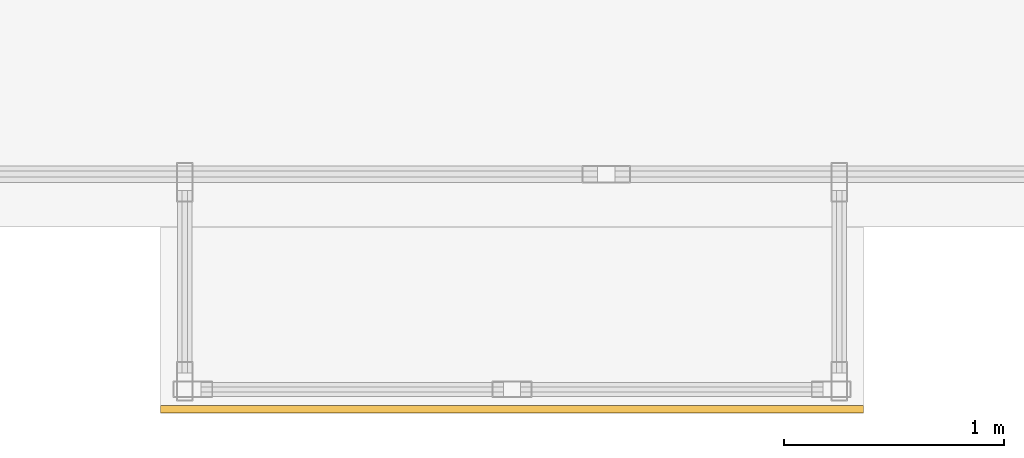
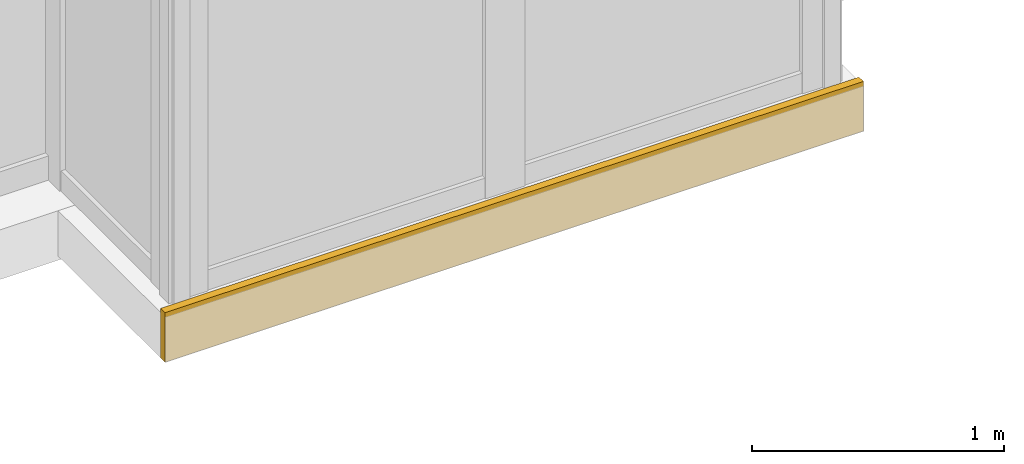
# One storey, part 22 of 23: 1 covering.
"""IFC4 building model written with IfcOpenShell, lengths in metres."""

import ifcopenshell
import ifcopenshell.guid

model = None  # the IFC model being written
_history = None  # IfcOwnerHistory: only IFC2X3 demands one
_inside = {}  # id of a spatial element -> (the spatial element, [elements in it])
_under = {}  # id of a project, library or spatial element -> (it, [spatial elements below it])
_declared = {}  # id of a project -> (the project, [libraries it declares])
_typed = {}  # id of a type object -> (the type object, [elements of that type])
_made_of = {}  # id of a material, layer set ... -> (it, [elements and type objects made of it])


def new_model(schema):
    """Start an empty IFC model of exactly this schema.

    Asked for "IFC4X3", IfcOpenShell would pick the latest addendum, in which some entities
    have other attributes; the version numbers below select the first issue.
    IFC2X3 requires an IfcOwnerHistory on every rooted entity: one is made here for all.
    """
    global model, _history
    if schema == "IFC4X3":
        model = ifcopenshell.file(schema_version=(4, 3, 0, 0))
    else:
        model = ifcopenshell.file(schema=schema)
    _inside.clear()
    _under.clear()
    _declared.clear()
    _typed.clear()
    _made_of.clear()
    _history = None
    if model.schema == "IFC2X3":
        org = make("IfcOrganization", Name="unknown")
        user = make(
            "IfcPersonAndOrganization",
            ThePerson=make("IfcPerson", FamilyName="unknown"),
            TheOrganization=org,
        )
        app = make(
            "IfcApplication",
            ApplicationDeveloper=org,
            Version="unknown",
            ApplicationFullName="unknown",
            ApplicationIdentifier="unknown",
        )
        _history = make(
            "IfcOwnerHistory",
            OwningUser=user,
            OwningApplication=app,
            ChangeAction="ADDED",
            CreationDate=0,
        )
    return model


def make(cls, **values):
    """One entity of the class cls with the attributes given. An attribute that is None is left unset."""
    return model.create_entity(
        cls, **{name: value for name, value in values.items() if value is not None}
    )


def rooted(cls, **values):
    """An entity with a GlobalId (a new one), such as an element, a storey or a relation."""
    return make(cls, GlobalId=ifcopenshell.guid.new(), OwnerHistory=_history, **values)


def si_unit(unit_type, name, prefix=None):
    """IfcSIUnit, for example si_unit("LENGTHUNIT", "METRE", prefix="MILLI")."""
    return make("IfcSIUnit", UnitType=unit_type, Prefix=prefix, Name=name)


def assignment(units):
    """IfcUnitAssignment: the units of a project."""
    return None if units is None else make("IfcUnitAssignment", Units=units)


def point(xyz):
    """IfcCartesianPoint."""
    return None if xyz is None else make("IfcCartesianPoint", Coordinates=xyz)


def direction(xyz):
    """IfcDirection."""
    return None if xyz is None else make("IfcDirection", DirectionRatios=xyz)


def frame(location, z_axis=None, x_axis=None):
    """IfcAxis2Placement3D, a coordinate frame: its origin and axes. An axis left out is left unset."""
    return make(
        "IfcAxis2Placement3D",
        Location=point(location),
        Axis=direction(z_axis),
        RefDirection=direction(x_axis),
    )


def frame_2d(location, x_axis=None):
    """IfcAxis2Placement2D, a coordinate frame in the plane: its origin and x axis."""
    return make(
        "IfcAxis2Placement2D", Location=point(location), RefDirection=direction(x_axis)
    )


def origin():
    """The frame at (0, 0, 0) with its axes left unset."""
    return frame((0.0, 0.0, 0.0))


def origin_2d():
    """The frame at (0, 0) in the plane with its x axis left unset."""
    return frame_2d((0.0, 0.0))


def place(relative_to, where):
    """IfcLocalPlacement: puts the frame where relative to a parent placement (None: the world)."""
    return make(
        "IfcLocalPlacement", PlacementRelTo=relative_to, RelativePlacement=where
    )


def context(
    kind, dimensions, precision=None, world=None, true_north=None, identifier=None
):
    """IfcGeometricRepresentationContext, for example the 3D "Model" context."""
    return make(
        "IfcGeometricRepresentationContext",
        ContextIdentifier=identifier,
        ContextType=kind,
        CoordinateSpaceDimension=dimensions,
        Precision=precision,
        WorldCoordinateSystem=world,
        TrueNorth=true_north,
    )


def subcontext(parent, identifier, kind, view, scale=None):
    """IfcGeometricRepresentationSubContext, for example "Body" below "Model"."""
    return make(
        "IfcGeometricRepresentationSubContext",
        ContextIdentifier=identifier,
        ContextType=kind,
        ParentContext=parent,
        TargetScale=scale,
        TargetView=view,
    )


def project(units=None, contexts=None):
    """IfcProject with its units and contexts."""
    return rooted(
        "IfcProject",
        Name="project",
        RepresentationContexts=contexts,
        UnitsInContext=assignment(units),
    )


def spatial(cls, under=None, at=None, **own):
    """A site, building, storey or space (cls), placed at a placement, below another one or the project."""
    s = rooted(cls, ObjectPlacement=at, **own)
    if under is not None:
        _under.setdefault(under.id(), (under, []))[1].append(s)
    return s


def profile(cls, at=None, kind="AREA", **sizes):
    """A parametric profile (cls). Its sizes go by their IFC names, for example OverallWidth=200.0."""
    return make(cls, ProfileType=kind, Position=at, **sizes)


def rectangle(**sizes):
    """IfcRectangleProfileDef."""
    return profile("IfcRectangleProfileDef", **sizes)


def extrude(swept, where, along, depth):
    """IfcExtrudedAreaSolid: the profile swept, set in the frame where, extruded along a direction by depth."""
    return make(
        "IfcExtrudedAreaSolid",
        SweptArea=swept,
        Position=where,
        ExtrudedDirection=direction(along),
        Depth=depth,
    )


def shape(context_of_items, identifier, shape_type, items):
    """IfcShapeRepresentation: the items that make up one representation, for example the "Body"."""
    return make(
        "IfcShapeRepresentation",
        ContextOfItems=context_of_items,
        RepresentationIdentifier=identifier,
        RepresentationType=shape_type,
        Items=items,
    )


def material(Name=None, Category=None):
    """IfcMaterial."""
    return make("IfcMaterial", Name=Name, Category=Category)


def layer(
    of_material, thickness, ventilated=None, Name=None, Category=None, Priority=None
):
    """IfcMaterialLayer: one layer of a wall or slab, of a material (None: an air gap)."""
    return make(
        "IfcMaterialLayer",
        Material=of_material,
        LayerThickness=thickness,
        IsVentilated=ventilated,
        Name=Name,
        Category=Category,
        Priority=Priority,
    )


def layer_set(layers, Name=None):
    """IfcMaterialLayerSet."""
    return make("IfcMaterialLayerSet", MaterialLayers=layers, LayerSetName=Name)


def made_of(thing, what):
    """Note that an element or type object is made of a material, layer set ...; save() writes the relation."""
    if what is not None:
        _made_of.setdefault(what.id(), (what, []))[1].append(thing)
    return thing


def type_object(cls, material=None, **own):
    """A type object (cls), such as IfcWallType, which elements share."""
    return made_of(rooted(cls, **own), material)


def element(
    cls,
    number,
    at=None,
    inside=None,
    cuts=None,
    type_object=None,
    material=None,
    context=None,
    identifier="Body",
    shape_type=None,
    held_by="IfcProductDefinitionShape",
    body=None,
    shapes=None,
    **own,
):
    """One element of the class cls, such as IfcWall. Its Tag is "e" and its number.

    at: its placement. inside: the storey or other place that contains it. cuts: it is an
    opening in that element (IfcRelVoidsElement). A single representation is given by context,
    identifier, shape_type and body (its items); several are given by shapes. held_by: the class
    of the entity that holds the representations. save() writes the other relations.
    """
    e = rooted(cls, Tag="e%d" % number, ObjectPlacement=at, **own)
    if body is not None:
        shapes = [shape(context, identifier, shape_type, body)]
    if shapes is not None:
        e.Representation = make(held_by, Representations=shapes)
    if inside is not None:
        _inside.setdefault(inside.id(), (inside, []))[1].append(e)
    if cuts is not None:
        rooted(
            "IfcRelVoidsElement", RelatingBuildingElement=cuts, RelatedOpeningElement=e
        )
    if type_object is not None:
        _typed.setdefault(type_object.id(), (type_object, []))[1].append(e)
    return made_of(e, material)


def aggregate(whole, parts):
    """IfcRelAggregates: a whole, such as a stair, and the parts it consists of."""
    return rooted("IfcRelAggregates", RelatingObject=whole, RelatedObjects=parts)


def save(model, path):
    """Write the relations noted so far, then the file.

    IfcRelAggregates (storeys below a building ...), IfcRelContainedInSpatialStructure (elements
    in a storey), IfcRelDefinesByType, IfcRelAssociatesMaterial and IfcRelDeclares: one each for
    every whole, place, type object, material and project.
    """
    for whole, parts in _under.values():
        aggregate(whole, parts)
    for where, things in _inside.values():
        rooted(
            "IfcRelContainedInSpatialStructure",
            RelatedElements=things,
            RelatingStructure=where,
        )
    for kind, things in _typed.values():
        rooted("IfcRelDefinesByType", RelatedObjects=things, RelatingType=kind)
    for what, things in _made_of.values():
        rooted("IfcRelAssociatesMaterial", RelatedObjects=things, RelatingMaterial=what)
    for by, libraries in _declared.values():
        rooted("IfcRelDeclares", RelatingContext=by, RelatedDefinitions=libraries)
    model.write(path)


model = new_model("IFC4")

# Units and contexts
model_context = context("Model", 3, precision=1e-05, world=origin(), true_north=direction((0.0, 1.0)))
body_context = subcontext(model_context, "Body", "Model", "MODEL_VIEW")
ifc_project = project(units=[si_unit("LENGTHUNIT", "METRE"), si_unit("AREAUNIT", "SQUARE_METRE"), si_unit("VOLUMEUNIT", "CUBIC_METRE"), si_unit("PLANEANGLEUNIT", "RADIAN"), si_unit("MASSUNIT", "GRAM", prefix="KILO")], contexts=[model_context])

# Site, building, storey
site_placement = place(None, origin())
site = spatial("IfcSite", under=ifc_project, at=site_placement, CompositionType="ELEMENT")
building_placement = place(site_placement, origin())
building = spatial("IfcBuilding", under=site, at=building_placement, Name="Kolvaren Waterfront Exchange", CompositionType="ELEMENT")
storey_placement = place(building_placement, frame((0.0, 0.0, 304.60009765625)))
storey = spatial("IfcBuildingStorey", under=building, at=storey_placement, Name="L78", CompositionType="ELEMENT", Elevation=304.60009765625)

# Covering
ifc_material = material(Name="Anodised bronze fascia aluminium", Category="aluminium")
ifc_layer = layer(ifc_material, 0.034912109375, Name="Anodised bronze fascia aluminium")
ifc_layer_set = layer_set([ifc_layer], Name="Anodised bronze fascia aluminium")
covering_type = type_object("IfcCoveringType", Name="ARC-CLAD-BRONZE-35", PredefinedType="CLADDING", material=ifc_layer_set)
covering_placement = place(storey_placement, frame((40.5, 2.77001953125, -0.22021484375), z_axis=(0.0, 0.0, 1.0), x_axis=(1.0, 0.0, 0.0)))
element("IfcCovering", 1, at=covering_placement, inside=storey, type_object=covering_type, Name="L78 ribbed anodised bronze bay-box fascia", PredefinedType="CLADDING", context=body_context, shape_type="SweptSolid", body=[
    extrude(rectangle(XDim=3.199951171875, YDim=0.034912109375, at=origin_2d()), origin(), (0.0, 0.0, 1.0), 0.239990234375),
])

save(model, "model.ifc")
